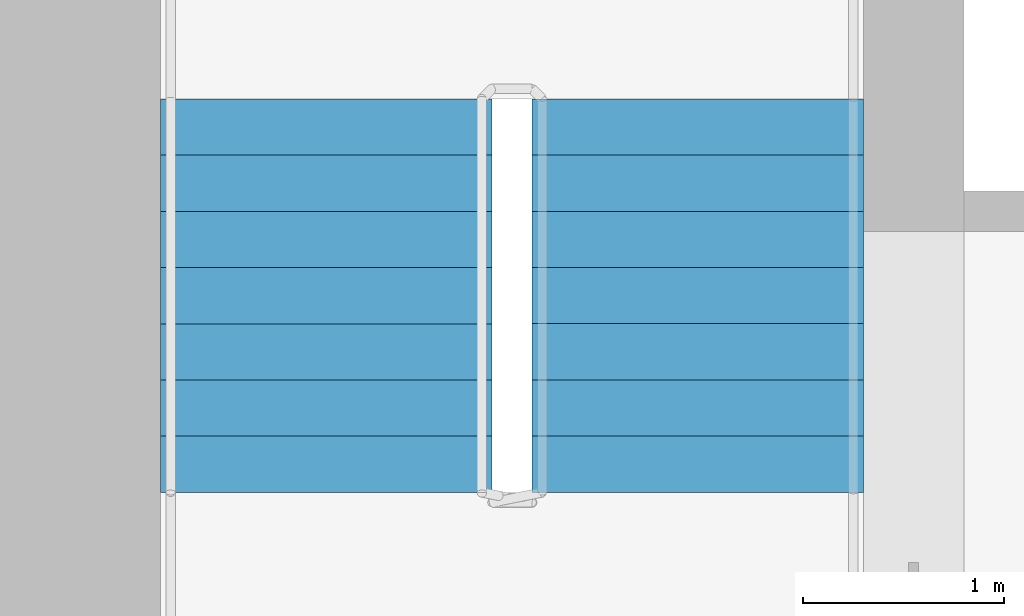
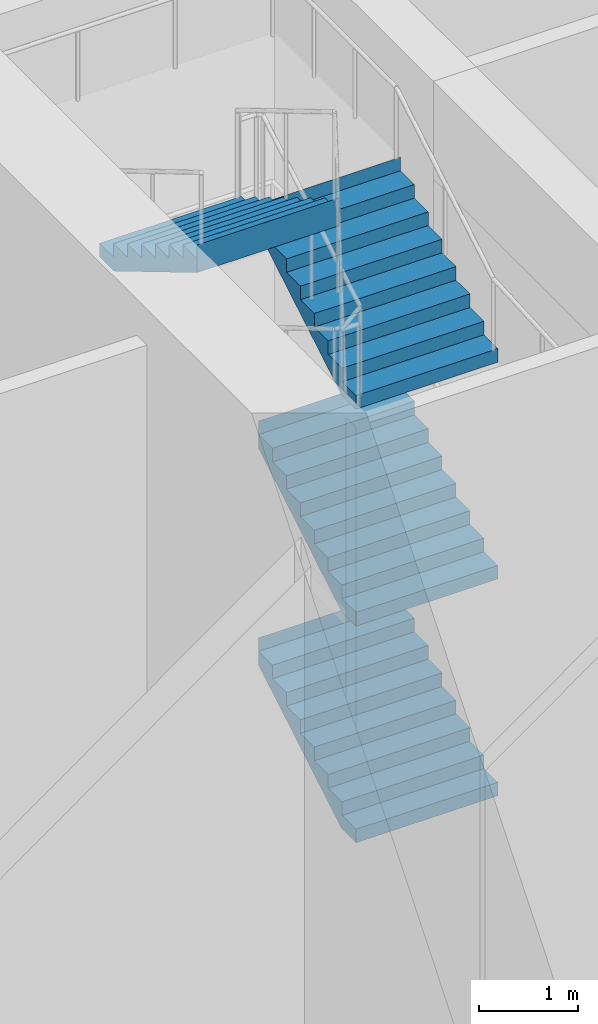
# One storey, part 38 of 57: 4 stair flights, 1 element without a shape of its own.
"""IFC4 building model written with IfcOpenShell, lengths in metres."""

from ifc_helpers import new_model, si_unit, direction, frame, origin, place, context, subcontext, project, spatial, polyline, outline, extrude, material, type_object, element, aggregate, save


model = new_model("IFC4")

# Units and contexts
model_context = context("Model", 3, precision=1e-05, world=origin(), true_north=direction((0.0, 1.0)))
body_context = subcontext(model_context, "Body", "Model", "MODEL_VIEW")
ifc_project = project(units=[si_unit("LENGTHUNIT", "METRE"), si_unit("AREAUNIT", "SQUARE_METRE"), si_unit("VOLUMEUNIT", "CUBIC_METRE"), si_unit("PLANEANGLEUNIT", "RADIAN"), si_unit("MASSUNIT", "GRAM", prefix="KILO")], contexts=[model_context])

# Site, building, storey
site_placement = place(None, origin())
site = spatial("IfcSite", under=ifc_project, at=site_placement, CompositionType="ELEMENT")
building_placement = place(site_placement, origin())
building = spatial("IfcBuilding", under=site, at=building_placement, Name="Tamorin Gate", CompositionType="ELEMENT")
storey_placement = place(building_placement, origin())
storey = spatial("IfcBuildingStorey", under=building, at=storey_placement, Name="L00", CompositionType="ELEMENT", Elevation=0.0)

# Stair, stair flights
ifc_material = material(Name="Concrete C40/50", Category="concrete")
stair_type = type_object("IfcStairType", Name="Exit stair", PredefinedType="HALF_TURN_STAIR", material=ifc_material)
stair_placement = place(storey_placement, origin())
stair = element("IfcStair", 1, at=stair_placement, inside=storey, type_object=stair_type, Name="L00 stair ST2", PredefinedType="HALF_TURN_STAIR")
stair_flight_type = type_object("IfcStairFlightType", Name="Exit stair flight", PredefinedType="STRAIGHT", material=ifc_material)
stair_flight_1_placement = place(storey_placement, frame((33.675048828125, 77.0, 0.0), z_axis=(0.0, 0.0, 1.0), x_axis=(0.0, 1.0, 0.0)))
stair_flight_1 = element("IfcStairFlight", 2, at=stair_flight_1_placement, type_object=stair_flight_type, Name="ST2 flight 1", NumberOfRisers=8, NumberOfTreads=7, PredefinedType="STRAIGHT", RiserHeight=0.166666667, TreadLength=0.28, context=body_context, shape_type="SweptSolid", body=[
    extrude(outline(polyline([(-0.00048828125, 0.0), (-0.00048828125, 0.001708984375), (-0.00048828125, 0.00341796875), (-0.00048828125, 0.0048828125), (-0.00048828125, 0.006591796875), (-0.00048828125, 0.00830078125), (-0.00048828125, 0.010009765625), (-0.00048828125, 0.011474609375), (-0.00048828125, 0.01318359375), (-0.00048828125, 0.014892578125), (-0.00048828125, 0.0166015625), (-0.00048828125, 0.01806640625), (-0.00048828125, 0.019775390625), (-0.00048828125, 0.021484375), (-0.00048828125, 0.023193359375), (-0.00048828125, 0.024658203125), (-0.00048828125, 0.0263671875), (-0.00048828125, 0.028076171875), (-0.00048828125, 0.02978515625), (-0.00048828125, 0.03125), (-0.00048828125, 0.032958984375), (-0.00048828125, 0.03466796875), (-0.00048828125, 0.036376953125), (-0.00048828125, 0.037841796875), (-0.00048828125, 0.03955078125), (-0.00048828125, 0.041259765625), (-0.00048828125, 0.04296875), (-0.00048828125, 0.04443359375), (-0.00048828125, 0.046142578125), (-0.00048828125, 0.0478515625), (-0.00048828125, 0.049560546875), (-0.00048828125, 0.05126953125), (-0.00048828125, 0.052734375), (-0.00048828125, 0.054443359375), (-0.00048828125, 0.05615234375), (-0.00048828125, 0.057861328125), (-0.00048828125, 0.059326171875), (-0.00048828125, 0.06103515625), (-0.00048828125, 0.062744140625), (-0.00048828125, 0.064453125), (-0.00048828125, 0.06591796875), (-0.00048828125, 0.067626953125), (-0.00048828125, 0.0693359375), (-0.00048828125, 0.071044921875), (-0.00048828125, 0.072509765625), (-0.00048828125, 0.07421875), (-0.00048828125, 0.075927734375), (-0.00048828125, 0.07763671875), (-0.00048828125, 0.0791015625), (-0.00048828125, 0.080810546875), (-0.00048828125, 0.08251953125), (-0.00048828125, 0.084228515625), (-0.00048828125, 0.085693359375), (-0.00048828125, 0.08740234375), (-0.00048828125, 0.089111328125), (-0.00048828125, 0.0908203125), (-0.00048828125, 0.092529296875), (-0.00048828125, 0.093994140625), (-0.00048828125, 0.095703125), (-0.00048828125, 0.097412109375), (-0.00048828125, 0.09912109375), (-0.00048828125, 0.1005859375), (-0.00048828125, 0.102294921875), (-0.00048828125, 0.10400390625), (-0.00048828125, 0.105712890625), (-0.00048828125, 0.107177734375), (-0.00048828125, 0.10888671875), (-0.00048828125, 0.110595703125), (-0.00048828125, 0.1123046875), (-0.00048828125, 0.11376953125), (-0.00048828125, 0.115478515625), (-0.00048828125, 0.1171875), (-0.00048828125, 0.118896484375), (-0.00048828125, 0.120361328125), (-0.00048828125, 0.1220703125), (-0.00048828125, 0.123779296875), (-0.00048828125, 0.12548828125), (-0.00048828125, 0.126953125), (-0.00048828125, 0.128662109375), (-0.00048828125, 0.13037109375), (-0.00048828125, 0.132080078125), (-0.00048828125, 0.133544921875), (-0.00048828125, 0.13525390625), (-0.00048828125, 0.136962890625), (-0.00048828125, 0.138671875), (-0.00048828125, 0.140380859375), (-0.00048828125, 0.141845703125), (-0.00048828125, 0.1435546875), (-0.00048828125, 0.145263671875), (-0.00048828125, 0.14697265625), (-0.00048828125, 0.1484375), (-0.00048828125, 0.150146484375), (-0.00048828125, 0.15185546875), (-0.00048828125, 0.153564453125), (-0.00048828125, 0.155029296875), (-0.00048828125, 0.15673828125), (-0.00048828125, 0.158447265625), (-0.00048828125, 0.16015625), (-0.00048828125, 0.16162109375), (-0.00048828125, 0.163330078125), (-0.00048828125, 0.1650390625), (-0.00048828125, 0.166748046875), (0.280029296875, 0.166748046875), (0.280029296875, 0.333251953125), (0.56005859375, 0.333251953125), (0.56005859375, 0.5), (0.840087890625, 0.5), (0.840087890625, 0.666748046875), (1.1201171875, 0.666748046875), (1.1201171875, 0.833251953125), (1.39990234375, 0.833251953125), (1.39990234375, 1.0), (1.679931640625, 1.0), (1.679931640625, 1.166748046875), (1.9599609375, 1.166748046875), (1.9599609375, 1.333251953125), (1.96044921875, 1.333251953125), (1.96044921875, 1.329833984375), (1.96044921875, 1.32666015625), (1.96044921875, 1.3232421875), (1.96044921875, 1.31982421875), (1.96044921875, 1.31640625), (1.96044921875, 1.31298828125), (1.96044921875, 1.3095703125), (1.96044921875, 1.306396484375), (1.96044921875, 1.302978515625), (1.96044921875, 1.299560546875), (1.96044921875, 1.296142578125), (1.96044921875, 1.292724609375), (1.96044921875, 1.289306640625), (1.96044921875, 1.2861328125), (1.96044921875, 1.28271484375), (1.96044921875, 1.279296875), (1.96044921875, 1.27587890625), (1.96044921875, 1.2724609375), (1.96044921875, 1.26904296875), (1.96044921875, 1.265869140625), (1.96044921875, 1.262451171875), (1.96044921875, 1.259033203125), (1.96044921875, 1.255615234375), (1.96044921875, 1.252197265625), (1.96044921875, 1.248779296875), (1.96044921875, 1.24560546875), (1.96044921875, 1.2421875), (1.96044921875, 1.23876953125), (1.96044921875, 1.2353515625), (1.96044921875, 1.23193359375), (1.96044921875, 1.228515625), (1.96044921875, 1.225341796875), (1.96044921875, 1.221923828125), (1.96044921875, 1.218505859375), (1.96044921875, 1.215087890625), (1.96044921875, 1.211669921875), (1.96044921875, 1.208251953125), (1.96044921875, 1.205078125), (1.96044921875, 1.20166015625), (1.96044921875, 1.1982421875), (1.96044921875, 1.19482421875), (1.96044921875, 1.19140625), (1.96044921875, 1.18798828125), (1.96044921875, 1.184814453125), (1.96044921875, 1.181396484375), (1.96044921875, 1.177978515625), (1.96044921875, 1.174560546875), (1.96044921875, 1.171142578125), (1.96044921875, 1.167724609375), (1.96044921875, 1.16455078125), (1.96044921875, 1.1611328125), (1.96044921875, 1.15771484375), (1.96044921875, 1.154296875), (1.96044921875, 1.15087890625), (1.96044921875, 1.1474609375), (1.96044921875, 1.144287109375), (1.96044921875, 1.140869140625), (1.96044921875, 1.137451171875), (1.96044921875, 1.134033203125), (1.96044921875, 1.130615234375), (1.96044921875, 1.127197265625), (1.96044921875, 1.1240234375), (1.96044921875, 1.12060546875), (1.96044921875, 1.1171875), (1.96044921875, 1.11376953125), (1.96044921875, 1.1103515625), (1.96044921875, 1.10693359375), (1.96044921875, 1.103759765625), (1.96044921875, 1.100341796875), (1.96044921875, 1.096923828125), (1.96044921875, 1.093505859375), (1.96044921875, 1.090087890625), (1.96044921875, 1.086669921875), (1.96044921875, 1.08349609375), (1.96044921875, 1.080078125), (1.96044921875, 1.07666015625), (1.96044921875, 1.0732421875), (1.96044921875, 1.06982421875), (1.96044921875, 1.06640625), (1.96044921875, 1.063232421875), (1.96044921875, 1.059814453125), (1.96044921875, 1.056396484375), (1.96044921875, 1.052978515625), (1.96044921875, 1.049560546875), (1.96044921875, 1.046142578125), (1.96044921875, 1.04296875), (1.96044921875, 1.03955078125), (1.96044921875, 1.0361328125), (1.96044921875, 1.03271484375), (1.96044921875, 1.029296875), (1.96044921875, 1.02587890625), (1.96044921875, 1.022705078125), (1.96044921875, 1.019287109375), (1.96044921875, 1.015869140625), (1.96044921875, 1.012451171875), (1.96044921875, 1.009033203125), (1.96044921875, 1.005615234375), (1.96044921875, 1.00244140625), (1.96044921875, 0.9990234375), (1.96044921875, 0.99560546875), (1.96044921875, 0.9921875), (1.9599609375, 0.9921875), (0.29296875, 0.0), (-0.00048828125, 0.0)])), frame((0.0, 0.824951171875, 0.0), z_axis=(0.0, -1.0, 0.0), x_axis=(1.0, 0.0, 0.0)), (0.0, 0.0, 1.0), 1.64990234375),
])
stair_flight_2_placement = place(storey_placement, frame((33.675048828125, 77.0, 2.666748046875), z_axis=(0.0, 0.0, 1.0), x_axis=(0.0, 1.0, 0.0)))
stair_flight_2 = element("IfcStairFlight", 3, at=stair_flight_2_placement, type_object=stair_flight_type, Name="ST2 flight 3", NumberOfRisers=8, NumberOfTreads=7, PredefinedType="STRAIGHT", RiserHeight=0.166666667, TreadLength=0.28, context=body_context, shape_type="SweptSolid", body=[
    extrude(outline(polyline([(-0.00048828125, 0.0), (-0.00048828125, 0.001708984375), (-0.00048828125, 0.00341796875), (-0.00048828125, 0.0048828125), (-0.00048828125, 0.006591796875), (-0.00048828125, 0.00830078125), (-0.00048828125, 0.010009765625), (-0.00048828125, 0.011474609375), (-0.00048828125, 0.01318359375), (-0.00048828125, 0.014892578125), (-0.00048828125, 0.0166015625), (-0.00048828125, 0.01806640625), (-0.00048828125, 0.019775390625), (-0.00048828125, 0.021484375), (-0.00048828125, 0.023193359375), (-0.00048828125, 0.024658203125), (-0.00048828125, 0.0263671875), (-0.00048828125, 0.028076171875), (-0.00048828125, 0.02978515625), (-0.00048828125, 0.03125), (-0.00048828125, 0.032958984375), (-0.00048828125, 0.03466796875), (-0.00048828125, 0.036376953125), (-0.00048828125, 0.037841796875), (-0.00048828125, 0.03955078125), (-0.00048828125, 0.041259765625), (-0.00048828125, 0.04296875), (-0.00048828125, 0.04443359375), (-0.00048828125, 0.046142578125), (-0.00048828125, 0.0478515625), (-0.00048828125, 0.049560546875), (-0.00048828125, 0.05126953125), (-0.00048828125, 0.052734375), (-0.00048828125, 0.054443359375), (-0.00048828125, 0.05615234375), (-0.00048828125, 0.057861328125), (-0.00048828125, 0.059326171875), (-0.00048828125, 0.06103515625), (-0.00048828125, 0.062744140625), (-0.00048828125, 0.064453125), (-0.00048828125, 0.06591796875), (-0.00048828125, 0.067626953125), (-0.00048828125, 0.0693359375), (-0.00048828125, 0.071044921875), (-0.00048828125, 0.072509765625), (-0.00048828125, 0.07421875), (-0.00048828125, 0.075927734375), (-0.00048828125, 0.07763671875), (-0.00048828125, 0.0791015625), (-0.00048828125, 0.080810546875), (-0.00048828125, 0.08251953125), (-0.00048828125, 0.084228515625), (-0.00048828125, 0.085693359375), (-0.00048828125, 0.08740234375), (-0.00048828125, 0.089111328125), (-0.00048828125, 0.0908203125), (-0.00048828125, 0.092529296875), (-0.00048828125, 0.093994140625), (-0.00048828125, 0.095703125), (-0.00048828125, 0.097412109375), (-0.00048828125, 0.09912109375), (-0.00048828125, 0.1005859375), (-0.00048828125, 0.102294921875), (-0.00048828125, 0.10400390625), (-0.00048828125, 0.105712890625), (-0.00048828125, 0.107177734375), (-0.00048828125, 0.10888671875), (-0.00048828125, 0.110595703125), (-0.00048828125, 0.1123046875), (-0.00048828125, 0.11376953125), (-0.00048828125, 0.115478515625), (-0.00048828125, 0.1171875), (-0.00048828125, 0.118896484375), (-0.00048828125, 0.120361328125), (-0.00048828125, 0.1220703125), (-0.00048828125, 0.123779296875), (-0.00048828125, 0.12548828125), (-0.00048828125, 0.126953125), (-0.00048828125, 0.128662109375), (-0.00048828125, 0.13037109375), (-0.00048828125, 0.132080078125), (-0.00048828125, 0.133544921875), (-0.00048828125, 0.13525390625), (-0.00048828125, 0.136962890625), (-0.00048828125, 0.138671875), (-0.00048828125, 0.140380859375), (-0.00048828125, 0.141845703125), (-0.00048828125, 0.1435546875), (-0.00048828125, 0.145263671875), (-0.00048828125, 0.14697265625), (-0.00048828125, 0.1484375), (-0.00048828125, 0.150146484375), (-0.00048828125, 0.15185546875), (-0.00048828125, 0.153564453125), (-0.00048828125, 0.155029296875), (-0.00048828125, 0.15673828125), (-0.00048828125, 0.158447265625), (-0.00048828125, 0.16015625), (-0.00048828125, 0.16162109375), (-0.00048828125, 0.163330078125), (-0.00048828125, 0.1650390625), (-0.00048828125, 0.166748046875), (0.280029296875, 0.166748046875), (0.280029296875, 0.333251953125), (0.56005859375, 0.333251953125), (0.56005859375, 0.5), (0.840087890625, 0.5), (0.840087890625, 0.666748046875), (1.1201171875, 0.666748046875), (1.1201171875, 0.833251953125), (1.39990234375, 0.833251953125), (1.39990234375, 1.0), (1.679931640625, 1.0), (1.679931640625, 1.166748046875), (1.9599609375, 1.166748046875), (1.9599609375, 1.333251953125), (1.96044921875, 1.333251953125), (1.96044921875, 1.329833984375), (1.96044921875, 1.32666015625), (1.96044921875, 1.3232421875), (1.96044921875, 1.31982421875), (1.96044921875, 1.31640625), (1.96044921875, 1.31298828125), (1.96044921875, 1.3095703125), (1.96044921875, 1.306396484375), (1.96044921875, 1.302978515625), (1.96044921875, 1.299560546875), (1.96044921875, 1.296142578125), (1.96044921875, 1.292724609375), (1.96044921875, 1.289306640625), (1.96044921875, 1.2861328125), (1.96044921875, 1.28271484375), (1.96044921875, 1.279296875), (1.96044921875, 1.27587890625), (1.96044921875, 1.2724609375), (1.96044921875, 1.26904296875), (1.96044921875, 1.265869140625), (1.96044921875, 1.262451171875), (1.96044921875, 1.259033203125), (1.96044921875, 1.255615234375), (1.96044921875, 1.252197265625), (1.96044921875, 1.248779296875), (1.96044921875, 1.24560546875), (1.96044921875, 1.2421875), (1.96044921875, 1.23876953125), (1.96044921875, 1.2353515625), (1.96044921875, 1.23193359375), (1.96044921875, 1.228515625), (1.96044921875, 1.225341796875), (1.96044921875, 1.221923828125), (1.96044921875, 1.218505859375), (1.96044921875, 1.215087890625), (1.96044921875, 1.211669921875), (1.96044921875, 1.208251953125), (1.96044921875, 1.205078125), (1.96044921875, 1.20166015625), (1.96044921875, 1.1982421875), (1.96044921875, 1.19482421875), (1.96044921875, 1.19140625), (1.96044921875, 1.18798828125), (1.96044921875, 1.184814453125), (1.96044921875, 1.181396484375), (1.96044921875, 1.177978515625), (1.96044921875, 1.174560546875), (1.96044921875, 1.171142578125), (1.96044921875, 1.167724609375), (1.96044921875, 1.16455078125), (1.96044921875, 1.1611328125), (1.96044921875, 1.15771484375), (1.96044921875, 1.154296875), (1.96044921875, 1.15087890625), (1.96044921875, 1.1474609375), (1.96044921875, 1.144287109375), (1.96044921875, 1.140869140625), (1.96044921875, 1.137451171875), (1.96044921875, 1.134033203125), (1.96044921875, 1.130615234375), (1.96044921875, 1.127197265625), (1.96044921875, 1.1240234375), (1.96044921875, 1.12060546875), (1.96044921875, 1.1171875), (1.96044921875, 1.11376953125), (1.96044921875, 1.1103515625), (1.96044921875, 1.10693359375), (1.96044921875, 1.103759765625), (1.96044921875, 1.100341796875), (1.96044921875, 1.096923828125), (1.96044921875, 1.093505859375), (1.96044921875, 1.090087890625), (1.96044921875, 1.086669921875), (1.96044921875, 1.08349609375), (1.96044921875, 1.080078125), (1.96044921875, 1.07666015625), (1.96044921875, 1.0732421875), (1.96044921875, 1.06982421875), (1.96044921875, 1.06640625), (1.96044921875, 1.063232421875), (1.96044921875, 1.059814453125), (1.96044921875, 1.056396484375), (1.96044921875, 1.052978515625), (1.96044921875, 1.049560546875), (1.96044921875, 1.046142578125), (1.96044921875, 1.04296875), (1.96044921875, 1.03955078125), (1.96044921875, 1.0361328125), (1.96044921875, 1.03271484375), (1.96044921875, 1.029296875), (1.96044921875, 1.02587890625), (1.96044921875, 1.022705078125), (1.96044921875, 1.019287109375), (1.96044921875, 1.015869140625), (1.96044921875, 1.012451171875), (1.96044921875, 1.009033203125), (1.96044921875, 1.005615234375), (1.96044921875, 1.00244140625), (1.96044921875, 0.9990234375), (1.96044921875, 0.99560546875), (1.96044921875, 0.9921875), (1.9599609375, 0.9921875), (0.29296875, 0.0), (-0.00048828125, 0.0)])), frame((0.0, 0.824951171875, 0.0), z_axis=(0.0, -1.0, 0.0), x_axis=(1.0, 0.0, 0.0)), (0.0, 0.0, 1.0), 1.64990234375),
])
stair_flight_3_placement = place(storey_placement, frame((33.675048828125, 77.0, 5.333251953125), z_axis=(0.0, 0.0, 1.0), x_axis=(0.0, 1.0, 0.0)))
stair_flight_3 = element("IfcStairFlight", 4, at=stair_flight_3_placement, type_object=stair_flight_type, Name="ST2 flight 5", NumberOfRisers=8, NumberOfTreads=7, PredefinedType="STRAIGHT", RiserHeight=0.166666667, TreadLength=0.28, context=body_context, shape_type="SweptSolid", body=[
    extrude(outline(polyline([(-0.00048828125, 0.0), (-0.00048828125, 0.001708984375), (-0.00048828125, 0.00341796875), (-0.00048828125, 0.0048828125), (-0.00048828125, 0.006591796875), (-0.00048828125, 0.00830078125), (-0.00048828125, 0.010009765625), (-0.00048828125, 0.011474609375), (-0.00048828125, 0.01318359375), (-0.00048828125, 0.014892578125), (-0.00048828125, 0.0166015625), (-0.00048828125, 0.01806640625), (-0.00048828125, 0.019775390625), (-0.00048828125, 0.021484375), (-0.00048828125, 0.023193359375), (-0.00048828125, 0.024658203125), (-0.00048828125, 0.0263671875), (-0.00048828125, 0.028076171875), (-0.00048828125, 0.02978515625), (-0.00048828125, 0.03125), (-0.00048828125, 0.032958984375), (-0.00048828125, 0.03466796875), (-0.00048828125, 0.036376953125), (-0.00048828125, 0.037841796875), (-0.00048828125, 0.03955078125), (-0.00048828125, 0.041259765625), (-0.00048828125, 0.04296875), (-0.00048828125, 0.04443359375), (-0.00048828125, 0.046142578125), (-0.00048828125, 0.0478515625), (-0.00048828125, 0.049560546875), (-0.00048828125, 0.05126953125), (-0.00048828125, 0.052734375), (-0.00048828125, 0.054443359375), (-0.00048828125, 0.05615234375), (-0.00048828125, 0.057861328125), (-0.00048828125, 0.059326171875), (-0.00048828125, 0.06103515625), (-0.00048828125, 0.062744140625), (-0.00048828125, 0.064453125), (-0.00048828125, 0.06591796875), (-0.00048828125, 0.067626953125), (-0.00048828125, 0.0693359375), (-0.00048828125, 0.071044921875), (-0.00048828125, 0.072509765625), (-0.00048828125, 0.07421875), (-0.00048828125, 0.075927734375), (-0.00048828125, 0.07763671875), (-0.00048828125, 0.0791015625), (-0.00048828125, 0.080810546875), (-0.00048828125, 0.08251953125), (-0.00048828125, 0.084228515625), (-0.00048828125, 0.085693359375), (-0.00048828125, 0.08740234375), (-0.00048828125, 0.089111328125), (-0.00048828125, 0.0908203125), (-0.00048828125, 0.092529296875), (-0.00048828125, 0.093994140625), (-0.00048828125, 0.095703125), (-0.00048828125, 0.097412109375), (-0.00048828125, 0.09912109375), (-0.00048828125, 0.1005859375), (-0.00048828125, 0.102294921875), (-0.00048828125, 0.10400390625), (-0.00048828125, 0.105712890625), (-0.00048828125, 0.107177734375), (-0.00048828125, 0.10888671875), (-0.00048828125, 0.110595703125), (-0.00048828125, 0.1123046875), (-0.00048828125, 0.11376953125), (-0.00048828125, 0.115478515625), (-0.00048828125, 0.1171875), (-0.00048828125, 0.118896484375), (-0.00048828125, 0.120361328125), (-0.00048828125, 0.1220703125), (-0.00048828125, 0.123779296875), (-0.00048828125, 0.12548828125), (-0.00048828125, 0.126953125), (-0.00048828125, 0.128662109375), (-0.00048828125, 0.13037109375), (-0.00048828125, 0.132080078125), (-0.00048828125, 0.133544921875), (-0.00048828125, 0.13525390625), (-0.00048828125, 0.136962890625), (-0.00048828125, 0.138671875), (-0.00048828125, 0.140380859375), (-0.00048828125, 0.141845703125), (-0.00048828125, 0.1435546875), (-0.00048828125, 0.145263671875), (-0.00048828125, 0.14697265625), (-0.00048828125, 0.1484375), (-0.00048828125, 0.150146484375), (-0.00048828125, 0.15185546875), (-0.00048828125, 0.153564453125), (-0.00048828125, 0.155029296875), (-0.00048828125, 0.15673828125), (-0.00048828125, 0.158447265625), (-0.00048828125, 0.16015625), (-0.00048828125, 0.16162109375), (-0.00048828125, 0.163330078125), (-0.00048828125, 0.1650390625), (-0.00048828125, 0.166748046875), (0.280029296875, 0.166748046875), (0.280029296875, 0.333251953125), (0.56005859375, 0.333251953125), (0.56005859375, 0.5), (0.840087890625, 0.5), (0.840087890625, 0.666748046875), (1.1201171875, 0.666748046875), (1.1201171875, 0.833251953125), (1.39990234375, 0.833251953125), (1.39990234375, 1.0), (1.679931640625, 1.0), (1.679931640625, 1.166748046875), (1.9599609375, 1.166748046875), (1.9599609375, 1.333251953125), (1.96044921875, 1.333251953125), (1.96044921875, 1.329833984375), (1.96044921875, 1.32666015625), (1.96044921875, 1.3232421875), (1.96044921875, 1.31982421875), (1.96044921875, 1.31640625), (1.96044921875, 1.31298828125), (1.96044921875, 1.3095703125), (1.96044921875, 1.306396484375), (1.96044921875, 1.302978515625), (1.96044921875, 1.299560546875), (1.96044921875, 1.296142578125), (1.96044921875, 1.292724609375), (1.96044921875, 1.289306640625), (1.96044921875, 1.2861328125), (1.96044921875, 1.28271484375), (1.96044921875, 1.279296875), (1.96044921875, 1.27587890625), (1.96044921875, 1.2724609375), (1.96044921875, 1.26904296875), (1.96044921875, 1.265869140625), (1.96044921875, 1.262451171875), (1.96044921875, 1.259033203125), (1.96044921875, 1.255615234375), (1.96044921875, 1.252197265625), (1.96044921875, 1.248779296875), (1.96044921875, 1.24560546875), (1.96044921875, 1.2421875), (1.96044921875, 1.23876953125), (1.96044921875, 1.2353515625), (1.96044921875, 1.23193359375), (1.96044921875, 1.228515625), (1.96044921875, 1.225341796875), (1.96044921875, 1.221923828125), (1.96044921875, 1.218505859375), (1.96044921875, 1.215087890625), (1.96044921875, 1.211669921875), (1.96044921875, 1.208251953125), (1.96044921875, 1.205078125), (1.96044921875, 1.20166015625), (1.96044921875, 1.1982421875), (1.96044921875, 1.19482421875), (1.96044921875, 1.19140625), (1.96044921875, 1.18798828125), (1.96044921875, 1.184814453125), (1.96044921875, 1.181396484375), (1.96044921875, 1.177978515625), (1.96044921875, 1.174560546875), (1.96044921875, 1.171142578125), (1.96044921875, 1.167724609375), (1.96044921875, 1.16455078125), (1.96044921875, 1.1611328125), (1.96044921875, 1.15771484375), (1.96044921875, 1.154296875), (1.96044921875, 1.15087890625), (1.96044921875, 1.1474609375), (1.96044921875, 1.144287109375), (1.96044921875, 1.140869140625), (1.96044921875, 1.137451171875), (1.96044921875, 1.134033203125), (1.96044921875, 1.130615234375), (1.96044921875, 1.127197265625), (1.96044921875, 1.1240234375), (1.96044921875, 1.12060546875), (1.96044921875, 1.1171875), (1.96044921875, 1.11376953125), (1.96044921875, 1.1103515625), (1.96044921875, 1.10693359375), (1.96044921875, 1.103759765625), (1.96044921875, 1.100341796875), (1.96044921875, 1.096923828125), (1.96044921875, 1.093505859375), (1.96044921875, 1.090087890625), (1.96044921875, 1.086669921875), (1.96044921875, 1.08349609375), (1.96044921875, 1.080078125), (1.96044921875, 1.07666015625), (1.96044921875, 1.0732421875), (1.96044921875, 1.06982421875), (1.96044921875, 1.06640625), (1.96044921875, 1.063232421875), (1.96044921875, 1.059814453125), (1.96044921875, 1.056396484375), (1.96044921875, 1.052978515625), (1.96044921875, 1.049560546875), (1.96044921875, 1.046142578125), (1.96044921875, 1.04296875), (1.96044921875, 1.03955078125), (1.96044921875, 1.0361328125), (1.96044921875, 1.03271484375), (1.96044921875, 1.029296875), (1.96044921875, 1.02587890625), (1.96044921875, 1.022705078125), (1.96044921875, 1.019287109375), (1.96044921875, 1.015869140625), (1.96044921875, 1.012451171875), (1.96044921875, 1.009033203125), (1.96044921875, 1.005615234375), (1.96044921875, 1.00244140625), (1.96044921875, 0.9990234375), (1.96044921875, 0.99560546875), (1.96044921875, 0.9921875), (1.9599609375, 0.9921875), (0.29296875, 0.0), (-0.00048828125, 0.0)])), frame((0.0, 0.824951171875, 0.0), z_axis=(0.0, -1.0, 0.0), x_axis=(1.0, 0.0, 0.0)), (0.0, 0.0, 1.0), 1.64990234375),
])
stair_flight_4_placement = place(storey_placement, frame((31.824951171875, 78.9599609375, 6.666748046875), z_axis=(0.0, 0.0, 1.0), x_axis=(0.0, -1.0, 0.0)))
stair_flight_4 = element("IfcStairFlight", 5, at=stair_flight_4_placement, type_object=stair_flight_type, Name="ST2 flight 6", NumberOfRisers=8, NumberOfTreads=7, PredefinedType="STRAIGHT", RiserHeight=0.166666667, TreadLength=0.28, context=body_context, shape_type="SweptSolid", body=[
    extrude(outline(polyline([(-0.00048828125, 0.0), (-0.00048828125, 0.001708984375), (-0.00048828125, 0.00341796875), (-0.00048828125, 0.0048828125), (-0.00048828125, 0.006591796875), (-0.00048828125, 0.00830078125), (-0.00048828125, 0.010009765625), (-0.00048828125, 0.011474609375), (-0.00048828125, 0.01318359375), (-0.00048828125, 0.014892578125), (-0.00048828125, 0.0166015625), (-0.00048828125, 0.01806640625), (-0.00048828125, 0.019775390625), (-0.00048828125, 0.021484375), (-0.00048828125, 0.023193359375), (-0.00048828125, 0.024658203125), (-0.00048828125, 0.0263671875), (-0.00048828125, 0.028076171875), (-0.00048828125, 0.02978515625), (-0.00048828125, 0.03125), (-0.00048828125, 0.032958984375), (-0.00048828125, 0.03466796875), (-0.00048828125, 0.036376953125), (-0.00048828125, 0.037841796875), (-0.00048828125, 0.03955078125), (-0.00048828125, 0.041259765625), (-0.00048828125, 0.04296875), (-0.00048828125, 0.04443359375), (-0.00048828125, 0.046142578125), (-0.00048828125, 0.0478515625), (-0.00048828125, 0.049560546875), (-0.00048828125, 0.05126953125), (-0.00048828125, 0.052734375), (-0.00048828125, 0.054443359375), (-0.00048828125, 0.05615234375), (-0.00048828125, 0.057861328125), (-0.00048828125, 0.059326171875), (-0.00048828125, 0.06103515625), (-0.00048828125, 0.062744140625), (-0.00048828125, 0.064453125), (-0.00048828125, 0.06591796875), (-0.00048828125, 0.067626953125), (-0.00048828125, 0.0693359375), (-0.00048828125, 0.071044921875), (-0.00048828125, 0.072509765625), (-0.00048828125, 0.07421875), (-0.00048828125, 0.075927734375), (-0.00048828125, 0.07763671875), (-0.00048828125, 0.0791015625), (-0.00048828125, 0.080810546875), (-0.00048828125, 0.08251953125), (-0.00048828125, 0.084228515625), (-0.00048828125, 0.085693359375), (-0.00048828125, 0.08740234375), (-0.00048828125, 0.089111328125), (-0.00048828125, 0.0908203125), (-0.00048828125, 0.092529296875), (-0.00048828125, 0.093994140625), (-0.00048828125, 0.095703125), (-0.00048828125, 0.097412109375), (-0.00048828125, 0.09912109375), (-0.00048828125, 0.1005859375), (-0.00048828125, 0.102294921875), (-0.00048828125, 0.10400390625), (-0.00048828125, 0.105712890625), (-0.00048828125, 0.107177734375), (-0.00048828125, 0.10888671875), (-0.00048828125, 0.110595703125), (-0.00048828125, 0.1123046875), (-0.00048828125, 0.11376953125), (-0.00048828125, 0.115478515625), (-0.00048828125, 0.1171875), (-0.00048828125, 0.118896484375), (-0.00048828125, 0.120361328125), (-0.00048828125, 0.1220703125), (-0.00048828125, 0.123779296875), (-0.00048828125, 0.12548828125), (-0.00048828125, 0.126953125), (-0.00048828125, 0.128662109375), (-0.00048828125, 0.13037109375), (-0.00048828125, 0.132080078125), (-0.00048828125, 0.133544921875), (-0.00048828125, 0.13525390625), (-0.00048828125, 0.136962890625), (-0.00048828125, 0.138671875), (-0.00048828125, 0.140380859375), (-0.00048828125, 0.141845703125), (-0.00048828125, 0.1435546875), (-0.00048828125, 0.145263671875), (-0.00048828125, 0.14697265625), (-0.00048828125, 0.1484375), (-0.00048828125, 0.150146484375), (-0.00048828125, 0.15185546875), (-0.00048828125, 0.153564453125), (-0.00048828125, 0.155029296875), (-0.00048828125, 0.15673828125), (-0.00048828125, 0.158447265625), (-0.00048828125, 0.16015625), (-0.00048828125, 0.16162109375), (-0.00048828125, 0.163330078125), (-0.00048828125, 0.1650390625), (-0.00048828125, 0.166748046875), (0.280029296875, 0.166748046875), (0.280029296875, 0.333251953125), (0.56005859375, 0.333251953125), (0.56005859375, 0.5), (0.840087890625, 0.5), (0.840087890625, 0.666748046875), (1.1201171875, 0.666748046875), (1.1201171875, 0.833251953125), (1.39990234375, 0.833251953125), (1.39990234375, 1.0), (1.679931640625, 1.0), (1.679931640625, 1.166748046875), (1.9599609375, 1.166748046875), (1.9599609375, 1.333251953125), (1.96044921875, 1.333251953125), (1.96044921875, 1.329833984375), (1.96044921875, 1.32666015625), (1.96044921875, 1.3232421875), (1.96044921875, 1.31982421875), (1.96044921875, 1.31640625), (1.96044921875, 1.31298828125), (1.96044921875, 1.3095703125), (1.96044921875, 1.306396484375), (1.96044921875, 1.302978515625), (1.96044921875, 1.299560546875), (1.96044921875, 1.296142578125), (1.96044921875, 1.292724609375), (1.96044921875, 1.289306640625), (1.96044921875, 1.2861328125), (1.96044921875, 1.28271484375), (1.96044921875, 1.279296875), (1.96044921875, 1.27587890625), (1.96044921875, 1.2724609375), (1.96044921875, 1.26904296875), (1.96044921875, 1.265869140625), (1.96044921875, 1.262451171875), (1.96044921875, 1.259033203125), (1.96044921875, 1.255615234375), (1.96044921875, 1.252197265625), (1.96044921875, 1.248779296875), (1.96044921875, 1.24560546875), (1.96044921875, 1.2421875), (1.96044921875, 1.23876953125), (1.96044921875, 1.2353515625), (1.96044921875, 1.23193359375), (1.96044921875, 1.228515625), (1.96044921875, 1.225341796875), (1.96044921875, 1.221923828125), (1.96044921875, 1.218505859375), (1.96044921875, 1.215087890625), (1.96044921875, 1.211669921875), (1.96044921875, 1.208251953125), (1.96044921875, 1.205078125), (1.96044921875, 1.20166015625), (1.96044921875, 1.1982421875), (1.96044921875, 1.19482421875), (1.96044921875, 1.19140625), (1.96044921875, 1.18798828125), (1.96044921875, 1.184814453125), (1.96044921875, 1.181396484375), (1.96044921875, 1.177978515625), (1.96044921875, 1.174560546875), (1.96044921875, 1.171142578125), (1.96044921875, 1.167724609375), (1.96044921875, 1.16455078125), (1.96044921875, 1.1611328125), (1.96044921875, 1.15771484375), (1.96044921875, 1.154296875), (1.96044921875, 1.15087890625), (1.96044921875, 1.1474609375), (1.96044921875, 1.144287109375), (1.96044921875, 1.140869140625), (1.96044921875, 1.137451171875), (1.96044921875, 1.134033203125), (1.96044921875, 1.130615234375), (1.96044921875, 1.127197265625), (1.96044921875, 1.1240234375), (1.96044921875, 1.12060546875), (1.96044921875, 1.1171875), (1.96044921875, 1.11376953125), (1.96044921875, 1.1103515625), (1.96044921875, 1.10693359375), (1.96044921875, 1.103759765625), (1.96044921875, 1.100341796875), (1.96044921875, 1.096923828125), (1.96044921875, 1.093505859375), (1.96044921875, 1.090087890625), (1.96044921875, 1.086669921875), (1.96044921875, 1.08349609375), (1.96044921875, 1.080078125), (1.96044921875, 1.07666015625), (1.96044921875, 1.0732421875), (1.96044921875, 1.06982421875), (1.96044921875, 1.06640625), (1.96044921875, 1.063232421875), (1.96044921875, 1.059814453125), (1.96044921875, 1.056396484375), (1.96044921875, 1.052978515625), (1.96044921875, 1.049560546875), (1.96044921875, 1.046142578125), (1.96044921875, 1.04296875), (1.96044921875, 1.03955078125), (1.96044921875, 1.0361328125), (1.96044921875, 1.03271484375), (1.96044921875, 1.029296875), (1.96044921875, 1.02587890625), (1.96044921875, 1.022705078125), (1.96044921875, 1.019287109375), (1.96044921875, 1.015869140625), (1.96044921875, 1.012451171875), (1.96044921875, 1.009033203125), (1.96044921875, 1.005615234375), (1.96044921875, 1.00244140625), (1.96044921875, 0.9990234375), (1.96044921875, 0.99560546875), (1.96044921875, 0.9921875), (1.9599609375, 0.9921875), (0.29296875, 0.0), (-0.00048828125, 0.0)])), frame((0.0, 0.824951171875, 0.0), z_axis=(0.0, -1.0, 0.0), x_axis=(1.0, 0.0, 0.0)), (0.0, 0.0, 1.0), 1.64990234375),
])
aggregate(stair, [stair_flight_1, stair_flight_2, stair_flight_3, stair_flight_4])

save(model, "model.ifc")
